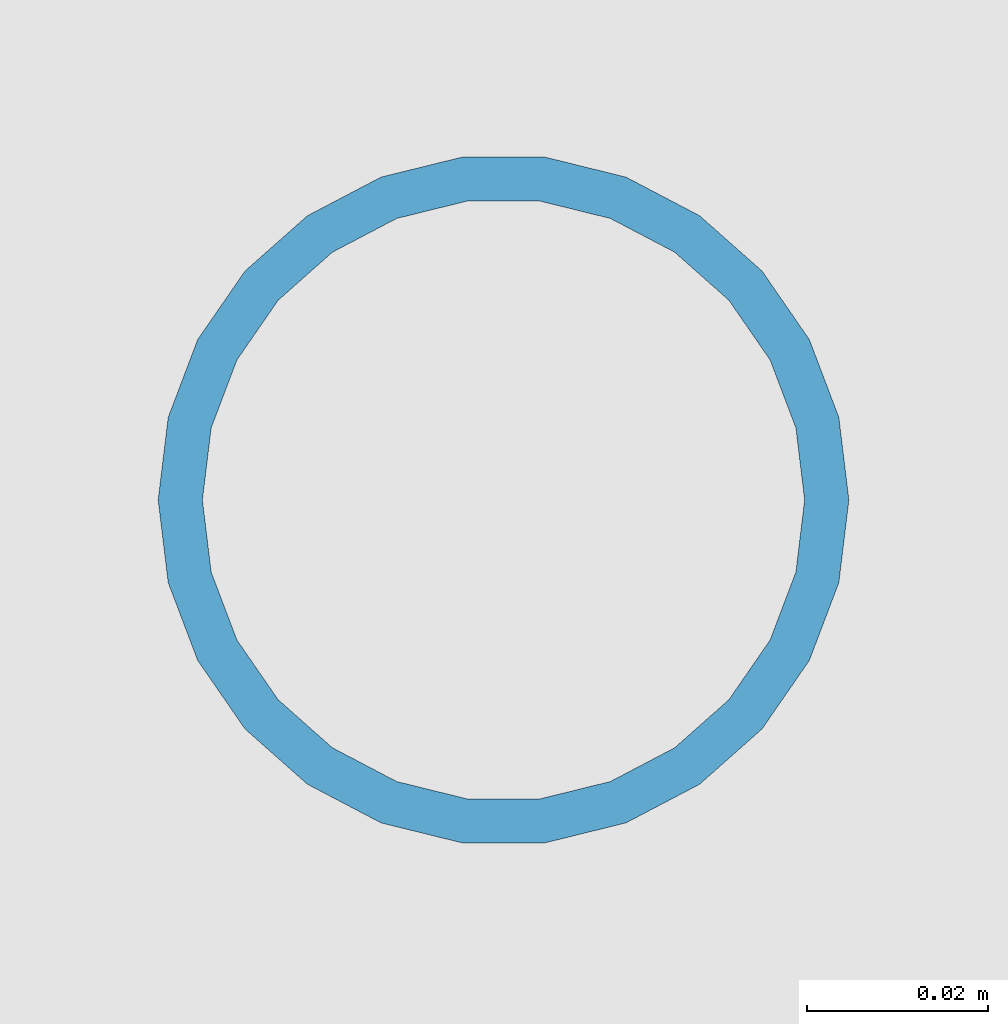
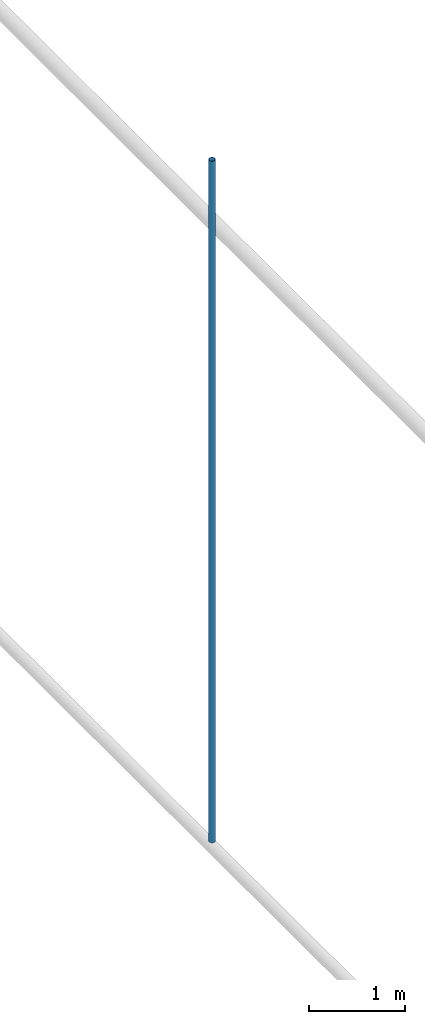
# One storey, part 22 of 109: 1 member.
"""IFC4 building model written with IfcOpenShell, lengths in metres."""

from ifc_helpers import new_model, si_unit, direction, frame, origin, origin_2d, place, context, subcontext, project, spatial, hollow_circle, extrude, material, material_profile, profile_set, type_object, element, save


model = new_model("IFC4")

# Units and contexts
model_context = context("Model", 3, precision=1e-05, world=origin(), true_north=direction((0.0, 1.0)))
body_context = subcontext(model_context, "Body", "Model", "MODEL_VIEW")
ifc_project = project(units=[si_unit("LENGTHUNIT", "METRE"), si_unit("AREAUNIT", "SQUARE_METRE"), si_unit("VOLUMEUNIT", "CUBIC_METRE"), si_unit("PLANEANGLEUNIT", "RADIAN"), si_unit("MASSUNIT", "GRAM", prefix="KILO")], contexts=[model_context])

# Site, building, storey
site_placement = place(None, origin())
site = spatial("IfcSite", under=ifc_project, at=site_placement, CompositionType="ELEMENT")
building_placement = place(site_placement, origin())
building = spatial("IfcBuilding", under=site, at=building_placement, Name="Lantern Court Research Institute", CompositionType="ELEMENT")
storey_placement = place(building_placement, frame((0.0, 0.0, 14.39990234375)))
storey = spatial("IfcBuildingStorey", under=building, at=storey_placement, Name="L03", CompositionType="ELEMENT", Elevation=14.39990234375)

# Member
ifc_material = material(Name="Structural steel S355", Category="steel")
ifc_material_profile = material_profile(ifc_material, hollow_circle(Radius=0.0380859375, WallThickness=0.0048828125, at=origin_2d()), Name="Gridshell light hanger CHS 76.1 x 5")
ifc_profile_set = profile_set([ifc_material_profile], Name="Structural steel S355")
member_type = type_object("IfcMemberType", Name="Gridshell light hanger CHS 76.1 x 5", PredefinedType="STRUT", material=ifc_profile_set)
member_placement = place(storey_placement, frame((50.914306640625, 40.125, 0.27001953125), z_axis=(0.0, 0.0, 1.0), x_axis=(1.0, 0.0, 0.0)))
element("IfcMember", 1, at=member_placement, inside=storey, type_object=member_type, Name="Gridshell hanger", PredefinedType="STRUT", context=body_context, shape_type="SweptSolid", body=[
    extrude(hollow_circle(Radius=0.0380859375, WallThickness=0.0048828125, at=origin_2d()), origin(), (0.0, 0.0, 1.0), 8.630126953125),
])

save(model, "model.ifc")
